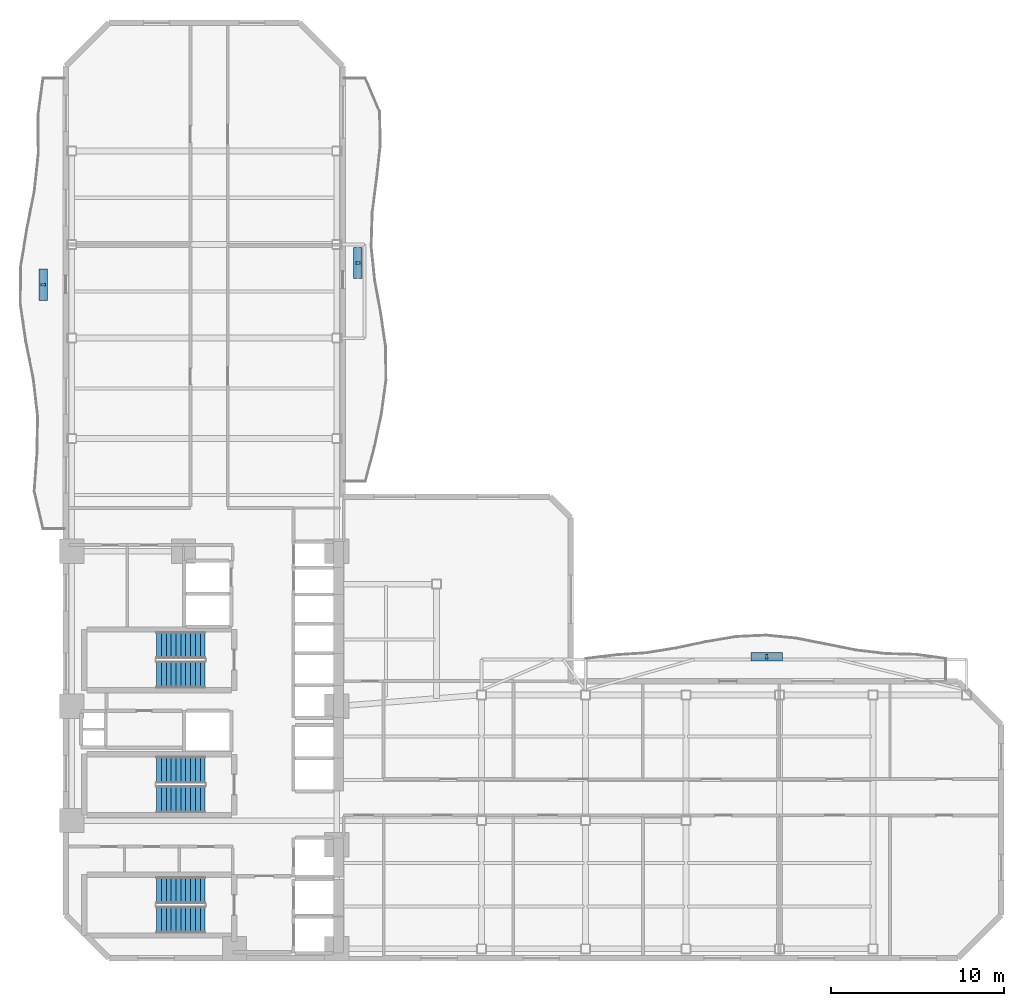
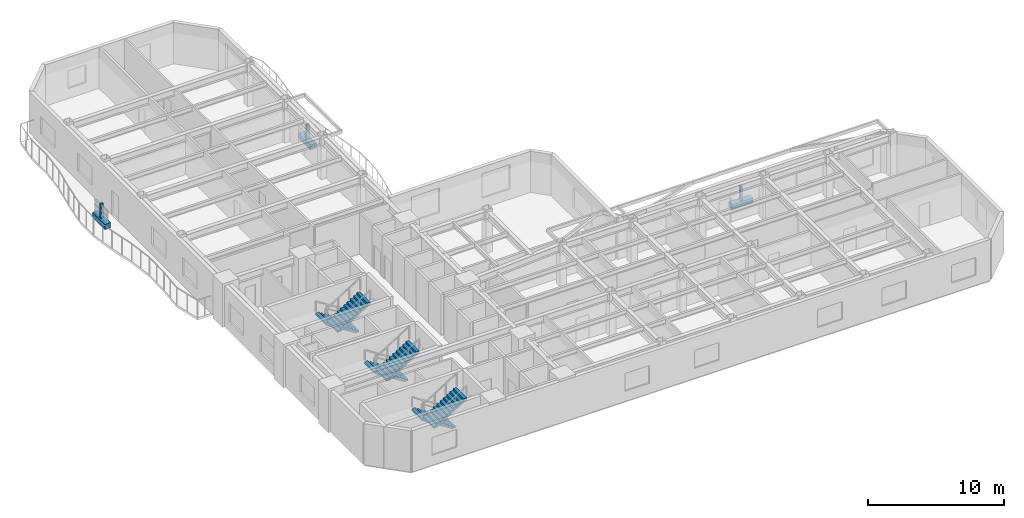
# One storey, part 7 of 10: 6 discrete accessories, 6 stair flights, 3 elements without a shape of their own.
"""IFC4 building model written with IfcOpenShell, lengths in metres."""

from ifc_helpers import new_model, si_unit, direction, frame, origin, origin_2d, place, context, subcontext, project, spatial, polyline, rectangle, outline, extrude, material, type_object, element, aggregate, save


model = new_model("IFC4")

# Units and contexts
model_context = context("Model", 3, precision=1e-05, world=origin(), true_north=direction((0.0, 1.0)))
body_context = subcontext(model_context, "Body", "Model", "MODEL_VIEW")
ifc_project = project(units=[si_unit("LENGTHUNIT", "METRE"), si_unit("AREAUNIT", "SQUARE_METRE"), si_unit("VOLUMEUNIT", "CUBIC_METRE"), si_unit("PLANEANGLEUNIT", "RADIAN"), si_unit("MASSUNIT", "GRAM", prefix="KILO")], contexts=[model_context])

# Site, building, storey
site_placement = place(None, origin())
site = spatial("IfcSite", under=ifc_project, at=site_placement, CompositionType="ELEMENT")
building_placement = place(site_placement, origin())
building = spatial("IfcBuilding", under=site, at=building_placement, Name="Mawjaban Terraces University", CompositionType="ELEMENT")
storey_placement = place(building_placement, frame((0.0, 0.0, 66.10009765625)))
storey = spatial("IfcBuildingStorey", under=building, at=storey_placement, Name="L15", CompositionType="ELEMENT", Elevation=66.10009765625)

# Stair, stair flights
ifc_material_1 = material(Name="Concrete C40/50", Category="concrete")
stair_type = type_object("IfcStairType", Name="Stair_Core1550_H39", PredefinedType="HALF_TURN_STAIR", material=ifc_material_1)
stair_1_placement = place(storey_placement, origin())
stair_1 = element("IfcStair", 1, at=stair_1_placement, inside=storey, type_object=stair_type, Name="L15 Core Exit Stair 1", PredefinedType="HALF_TURN_STAIR")
stair_flight_type = type_object("IfcStairFlightType", Name="Flight_Core1550_H39", PredefinedType="STRAIGHT", material=ifc_material_1)
stair_flight_1_placement = place(storey_placement, frame((30.050048828125, 3.925048828125, 0.0), z_axis=(0.0, 0.0, 1.0), x_axis=(-1.0, 0.0, 0.0)))
stair_flight_1 = element("IfcStairFlight", 2, at=stair_flight_1_placement, type_object=stair_flight_type, Name="ST-1 flight 1", NumberOfRisers=11, NumberOfTreads=10, PredefinedType="STRAIGHT", RiserHeight=0.177272727, TreadLength=0.28, context=body_context, shape_type="SweptSolid", body=[
    extrude(outline(polyline([(0.0, 0.0), (0.0, 0.17724609375), (0.280029296875, 0.17724609375), (0.280029296875, 0.3544921875), (0.56005859375, 0.3544921875), (0.56005859375, 0.53173828125), (0.840087890625, 0.53173828125), (0.840087890625, 0.708984375), (1.1201171875, 0.708984375), (1.1201171875, 0.886474609375), (1.39990234375, 0.886474609375), (1.39990234375, 1.063720703125), (1.679931640625, 1.063720703125), (1.679931640625, 1.240966796875), (1.9599609375, 1.240966796875), (1.9599609375, 1.418212890625), (2.239990234375, 1.418212890625), (2.239990234375, 1.595458984375), (2.52001953125, 1.595458984375), (2.52001953125, 1.772705078125), (2.800048828125, 1.772705078125), (2.800048828125, 1.949951171875), (2.800048828125, 1.59521484375), (0.2802734375, 0.0), (0.0, 0.0)])), frame((0.0, 0.77490234375, 0.0), z_axis=(0.0, -1.0, 0.0), x_axis=(1.0, 0.0, 0.0)), (0.0, 0.0, 1.0), 1.550048828125),
])
stair_flight_2_placement = place(storey_placement, frame((27.25, 2.22509765625, 1.949951171875), z_axis=(0.0, 0.0, 1.0), x_axis=(1.0, 0.0, 0.0)))
stair_flight_2 = element("IfcStairFlight", 3, at=stair_flight_2_placement, type_object=stair_flight_type, Name="ST-1 flight 2", NumberOfRisers=11, NumberOfTreads=10, PredefinedType="STRAIGHT", RiserHeight=0.177272727, TreadLength=0.28, context=body_context, shape_type="SweptSolid", body=[
    extrude(outline(polyline([(0.0, 0.0), (0.0, 0.17724609375), (0.280029296875, 0.17724609375), (0.280029296875, 0.3544921875), (0.56005859375, 0.3544921875), (0.56005859375, 0.53173828125), (0.840087890625, 0.53173828125), (0.840087890625, 0.708984375), (1.1201171875, 0.708984375), (1.1201171875, 0.886474609375), (1.39990234375, 0.886474609375), (1.39990234375, 1.063720703125), (1.679931640625, 1.063720703125), (1.679931640625, 1.240966796875), (1.9599609375, 1.240966796875), (1.9599609375, 1.418212890625), (2.239990234375, 1.418212890625), (2.239990234375, 1.595458984375), (2.52001953125, 1.595458984375), (2.52001953125, 1.772705078125), (2.800048828125, 1.772705078125), (2.800048828125, 1.949951171875), (2.800048828125, 1.59521484375), (0.2802734375, 0.0), (0.0, 0.0)])), frame((0.0, 0.77490234375, 0.0), z_axis=(0.0, -1.0, 0.0), x_axis=(1.0, 0.0, 0.0)), (0.0, 0.0, 1.0), 1.550048828125),
])
aggregate(stair_1, [stair_flight_1, stair_flight_2])

stair_2_placement = place(storey_placement, origin())
stair_2 = element("IfcStair", 4, at=stair_2_placement, inside=storey, type_object=stair_type, Name="L15 Core Exit Stair 2", PredefinedType="HALF_TURN_STAIR")
stair_flight_3_placement = place(storey_placement, frame((30.050048828125, 18.074951171875, 0.0), z_axis=(0.0, 0.0, 1.0), x_axis=(-1.0, 0.0, 0.0)))
stair_flight_3 = element("IfcStairFlight", 5, at=stair_flight_3_placement, type_object=stair_flight_type, Name="ST-2 flight 1", NumberOfRisers=11, NumberOfTreads=10, PredefinedType="STRAIGHT", RiserHeight=0.177272727, TreadLength=0.28, context=body_context, shape_type="SweptSolid", body=[
    extrude(outline(polyline([(0.0, 0.0), (0.0, 0.17724609375), (0.280029296875, 0.17724609375), (0.280029296875, 0.3544921875), (0.56005859375, 0.3544921875), (0.56005859375, 0.53173828125), (0.840087890625, 0.53173828125), (0.840087890625, 0.708984375), (1.1201171875, 0.708984375), (1.1201171875, 0.886474609375), (1.39990234375, 0.886474609375), (1.39990234375, 1.063720703125), (1.679931640625, 1.063720703125), (1.679931640625, 1.240966796875), (1.9599609375, 1.240966796875), (1.9599609375, 1.418212890625), (2.239990234375, 1.418212890625), (2.239990234375, 1.595458984375), (2.52001953125, 1.595458984375), (2.52001953125, 1.772705078125), (2.800048828125, 1.772705078125), (2.800048828125, 1.949951171875), (2.800048828125, 1.59521484375), (0.2802734375, 0.0), (0.0, 0.0)])), frame((0.0, 0.77490234375, 0.0), z_axis=(0.0, -1.0, 0.0), x_axis=(1.0, 0.0, 0.0)), (0.0, 0.0, 1.0), 1.550048828125),
])
stair_flight_4_placement = place(storey_placement, frame((27.25, 16.375, 1.949951171875), z_axis=(0.0, 0.0, 1.0), x_axis=(1.0, 0.0, 0.0)))
stair_flight_4 = element("IfcStairFlight", 6, at=stair_flight_4_placement, type_object=stair_flight_type, Name="ST-2 flight 2", NumberOfRisers=11, NumberOfTreads=10, PredefinedType="STRAIGHT", RiserHeight=0.177272727, TreadLength=0.28, context=body_context, shape_type="SweptSolid", body=[
    extrude(outline(polyline([(0.0, 0.0), (0.0, 0.17724609375), (0.280029296875, 0.17724609375), (0.280029296875, 0.3544921875), (0.56005859375, 0.3544921875), (0.56005859375, 0.53173828125), (0.840087890625, 0.53173828125), (0.840087890625, 0.708984375), (1.1201171875, 0.708984375), (1.1201171875, 0.886474609375), (1.39990234375, 0.886474609375), (1.39990234375, 1.063720703125), (1.679931640625, 1.063720703125), (1.679931640625, 1.240966796875), (1.9599609375, 1.240966796875), (1.9599609375, 1.418212890625), (2.239990234375, 1.418212890625), (2.239990234375, 1.595458984375), (2.52001953125, 1.595458984375), (2.52001953125, 1.772705078125), (2.800048828125, 1.772705078125), (2.800048828125, 1.949951171875), (2.800048828125, 1.59521484375), (0.2802734375, 0.0), (0.0, 0.0)])), frame((0.0, 0.77490234375, 0.0), z_axis=(0.0, -1.0, 0.0), x_axis=(1.0, 0.0, 0.0)), (0.0, 0.0, 1.0), 1.550048828125),
])
aggregate(stair_2, [stair_flight_3, stair_flight_4])

stair_3_placement = place(storey_placement, origin())
stair_3 = element("IfcStair", 7, at=stair_3_placement, inside=storey, type_object=stair_type, Name="L15 Core Exit Stair 3", PredefinedType="HALF_TURN_STAIR")
stair_flight_5_placement = place(storey_placement, frame((30.050048828125, 10.875, 0.0), z_axis=(0.0, 0.0, 1.0), x_axis=(-1.0, 0.0, 0.0)))
stair_flight_5 = element("IfcStairFlight", 8, at=stair_flight_5_placement, type_object=stair_flight_type, Name="ST-3 flight 1", NumberOfRisers=11, NumberOfTreads=10, PredefinedType="STRAIGHT", RiserHeight=0.177272727, TreadLength=0.28, context=body_context, shape_type="SweptSolid", body=[
    extrude(outline(polyline([(0.0, 0.0), (0.0, 0.17724609375), (0.280029296875, 0.17724609375), (0.280029296875, 0.3544921875), (0.56005859375, 0.3544921875), (0.56005859375, 0.53173828125), (0.840087890625, 0.53173828125), (0.840087890625, 0.708984375), (1.1201171875, 0.708984375), (1.1201171875, 0.886474609375), (1.39990234375, 0.886474609375), (1.39990234375, 1.063720703125), (1.679931640625, 1.063720703125), (1.679931640625, 1.240966796875), (1.9599609375, 1.240966796875), (1.9599609375, 1.418212890625), (2.239990234375, 1.418212890625), (2.239990234375, 1.595458984375), (2.52001953125, 1.595458984375), (2.52001953125, 1.772705078125), (2.800048828125, 1.772705078125), (2.800048828125, 1.949951171875), (2.800048828125, 1.59521484375), (0.2802734375, 0.0), (0.0, 0.0)])), frame((0.0, 0.77490234375, 0.0), z_axis=(0.0, -1.0, 0.0), x_axis=(1.0, 0.0, 0.0)), (0.0, 0.0, 1.0), 1.550048828125),
])
stair_flight_6_placement = place(storey_placement, frame((27.25, 9.175048828125, 1.949951171875), z_axis=(0.0, 0.0, 1.0), x_axis=(1.0, 0.0, 0.0)))
stair_flight_6 = element("IfcStairFlight", 9, at=stair_flight_6_placement, type_object=stair_flight_type, Name="ST-3 flight 2", NumberOfRisers=11, NumberOfTreads=10, PredefinedType="STRAIGHT", RiserHeight=0.177272727, TreadLength=0.28, context=body_context, shape_type="SweptSolid", body=[
    extrude(outline(polyline([(0.0, 0.0), (0.0, 0.17724609375), (0.280029296875, 0.17724609375), (0.280029296875, 0.3544921875), (0.56005859375, 0.3544921875), (0.56005859375, 0.53173828125), (0.840087890625, 0.53173828125), (0.840087890625, 0.708984375), (1.1201171875, 0.708984375), (1.1201171875, 0.886474609375), (1.39990234375, 0.886474609375), (1.39990234375, 1.063720703125), (1.679931640625, 1.063720703125), (1.679931640625, 1.240966796875), (1.9599609375, 1.240966796875), (1.9599609375, 1.418212890625), (2.239990234375, 1.418212890625), (2.239990234375, 1.595458984375), (2.52001953125, 1.595458984375), (2.52001953125, 1.772705078125), (2.800048828125, 1.772705078125), (2.800048828125, 1.949951171875), (2.800048828125, 1.59521484375), (0.2802734375, 0.0), (0.0, 0.0)])), frame((0.0, 0.77490234375, 0.0), z_axis=(0.0, -1.0, 0.0), x_axis=(1.0, 0.0, 0.0)), (0.0, 0.0, 1.0), 1.550048828125),
])
aggregate(stair_3, [stair_flight_5, stair_flight_6])

# Discrete accessories
ifc_material_2 = material(Name="Stainless steel 316L", Category="steel")
discrete_accessory_type_1 = type_object("IfcDiscreteAccessoryType", Name="FacadeScreenBracket_Steel", PredefinedType="BRACKET", material=ifc_material_2)
for number, where, z_axis, x_axis, name in (
    (10, (20.70703125, 38.883056640625, 0.419921875), (0.0, 0.0, 1.0), (0.0, 1.0, 0.0), "L15 Balcony Screen Support Bracket west"),
    (11, (62.467041015625, 17.406005859375, 0.419921875), (0.0, 0.0, 1.0), (1.0, 0.0, 0.0), "L15 Balcony Screen Support Bracket inner_north"),
    (12, (38.865966796875, 40.139892578125, 0.419921875), (0.0, 0.0, 1.0), (0.0, 1.0, 0.0), "L15 Balcony Screen Support Bracket inner_east"),
):
    element("IfcDiscreteAccessory", number, at=place(storey_placement, frame(where, z_axis=z_axis, x_axis=x_axis)), inside=storey, type_object=discrete_accessory_type_1, Name=name, PredefinedType="BRACKET", context=body_context, shape_type="SweptSolid", body=[
        extrude(rectangle(XDim=0.159912109375, YDim=0.239990234375, at=origin_2d()), origin(), (0.0, 0.0, 1.0), 1.300048828125),
    ])
ifc_material_3 = material(Name="Precast architectural terracotta planter with engineered planting soil", Category="masonry")
discrete_accessory_type_2 = type_object("IfcDiscreteAccessoryType", Name="IrrigatedPlanterTrough_450", PredefinedType="USERDEFINED", material=ifc_material_3)
for number, where, z_axis, x_axis, name in (
    (13, (20.70703125, 38.883056640625, -0.0048828125), (0.0, 0.0, 1.0), (0.0, 1.0, 0.0), "L15 Balcony Irrigated Planter west"),
    (14, (62.467041015625, 17.406005859375, -0.0048828125), (0.0, 0.0, 1.0), (1.0, 0.0, 0.0), "L15 Balcony Irrigated Planter inner_north"),
    (15, (38.865966796875, 40.139892578125, -0.0048828125), (0.0, 0.0, 1.0), (0.0, 1.0, 0.0), "L15 Balcony Irrigated Planter inner_east"),
):
    element("IfcDiscreteAccessory", number, at=place(storey_placement, frame(where, z_axis=z_axis, x_axis=x_axis)), inside=storey, type_object=discrete_accessory_type_2, Name=name, ObjectType="PLANTER", PredefinedType="USERDEFINED", context=body_context, shape_type="SweptSolid", body=[
        extrude(rectangle(XDim=1.800048828125, YDim=0.5, at=origin_2d()), origin(), (0.0, 0.0, 1.0), 0.449951171875),
    ])

save(model, "model.ifc")
